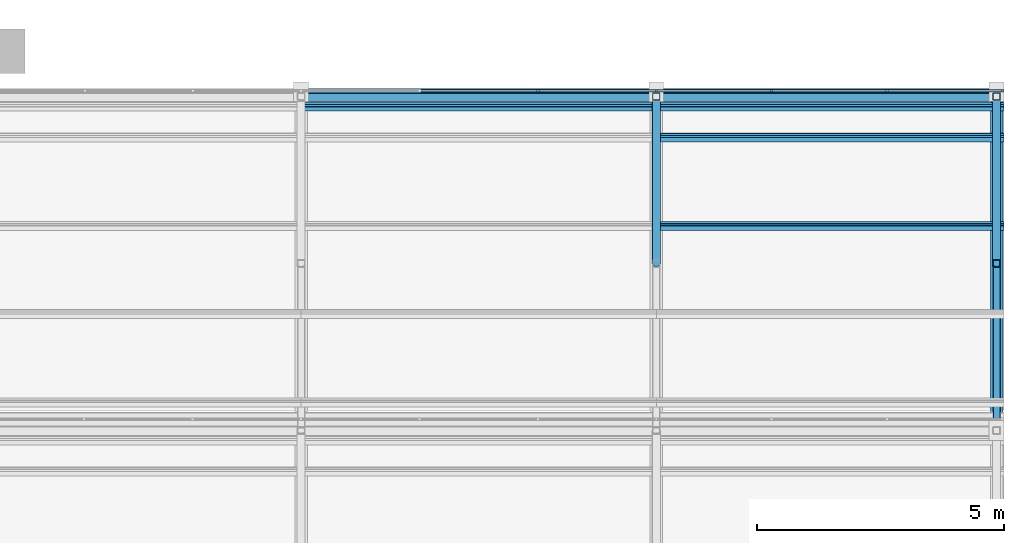
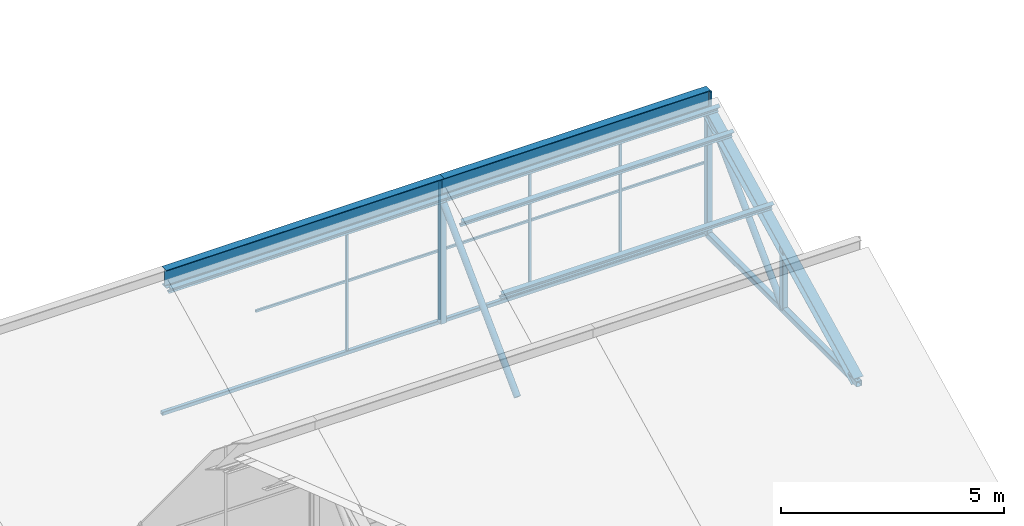
# One storey, part 15 of 29: 25 members, 2 elements without a shape of their own.
"""IFC4 building model written with IfcOpenShell, lengths in metres."""

from ifc_helpers import new_model, si_unit, direction, frame, origin, origin_2d, place, context, subcontext, project, spatial, rectangle, hollow_rectangle, hollow_circle, i_section, extrude, material, material_profile, profile_set, type_object, element, aggregate, save


model = new_model("IFC4")

# Units and contexts
model_context = context("Model", 3, precision=1e-05, world=origin(), true_north=direction((0.0, 1.0)))
body_context = subcontext(model_context, "Body", "Model", "MODEL_VIEW")
ifc_project = project(units=[si_unit("LENGTHUNIT", "METRE"), si_unit("AREAUNIT", "SQUARE_METRE"), si_unit("VOLUMEUNIT", "CUBIC_METRE"), si_unit("PLANEANGLEUNIT", "RADIAN"), si_unit("MASSUNIT", "GRAM", prefix="KILO")], contexts=[model_context])

# Site, building, storey
site_placement = place(None, origin())
site = spatial("IfcSite", under=ifc_project, at=site_placement, CompositionType="ELEMENT")
building_placement = place(site_placement, origin())
building = spatial("IfcBuilding", under=site, at=building_placement, Name="Silangan Lancet Faculty of Sciences", CompositionType="ELEMENT")
storey_placement = place(building_placement, frame((0.0, 0.0, 40.800048828125)))
storey = spatial("IfcBuildingStorey", under=building, at=storey_placement, Name="L08", CompositionType="ELEMENT", Elevation=40.800048828125)

# Members
ifc_material_1 = material(Name="Steel SS400", Category="steel")
ifc_material_profile_1 = material_profile(ifc_material_1, i_section(OverallWidth=0.199951171875, OverallDepth=0.5, WebThickness=0.010009765625, FlangeThickness=0.01611328125, FilletRadius=0.02001953125, at=origin_2d()), Name="H 500x200x10x16")
ifc_profile_set_1 = profile_set([ifc_material_profile_1], Name="Steel SS400")
member_type_1 = type_object("IfcMemberType", Name="Exposed ridge beam H 500x200x10x16", PredefinedType="MEMBER", material=ifc_profile_set_1)
member_1_placement = place(storey_placement, frame((36.0, 35.5400390625, 3.836669921875), z_axis=(1.0, 0.0, 0.0), x_axis=(0.0, 1.0, 0.0)))
element("IfcMember", 1, at=member_1_placement, inside=storey, type_object=member_type_1, Name="Exposed ridge beam ATRIUM-2-6", PredefinedType="MEMBER", context=body_context, shape_type="SweptSolid", body=[
    extrude(i_section(OverallWidth=0.199951171875, OverallDepth=0.5, WebThickness=0.010009765625, FlangeThickness=0.01611328125, FilletRadius=0.02001953125, at=origin_2d()), origin(), (0.0, 0.0, 1.0), 7.199951171875),
])
member_2_placement = place(storey_placement, frame((43.199951171875, 35.5400390625, 3.836669921875), z_axis=(1.0, 0.0, 0.0), x_axis=(0.0, 1.0, 0.0)))
element("IfcMember", 2, at=member_2_placement, inside=storey, type_object=member_type_1, Name="Exposed ridge beam ATRIUM-2-7", PredefinedType="MEMBER", context=body_context, shape_type="SweptSolid", body=[
    extrude(i_section(OverallWidth=0.199951171875, OverallDepth=0.5, WebThickness=0.010009765625, FlangeThickness=0.01611328125, FilletRadius=0.02001953125, at=origin_2d()), origin(), (0.0, 0.0, 1.0), 6.900146484375),
])
ifc_material_2 = material(Name="Steel STKR400", Category="steel")
ifc_material_profile_2 = material_profile(ifc_material_2, hollow_rectangle(XDim=0.10009765625, YDim=0.10009765625, WallThickness=0.006103515625, InnerFilletRadius=0.006103515625, OuterFilletRadius=0.011962890625, at=origin_2d()), Name="SHS 100x100x6.0")
ifc_profile_set_2 = profile_set([ifc_material_profile_2], Name="Steel STKR400")
member_type_2 = type_object("IfcMemberType", Name="Light sill SHS 100x100x6.0", PredefinedType="MEMBER", material=ifc_profile_set_2)
member_3_placement = place(storey_placement, frame((36.0, 35.655029296875, 0.050048828125), z_axis=(1.0, 0.0, 0.0), x_axis=(0.0, 1.0, 0.0)))
element("IfcMember", 3, at=member_3_placement, inside=storey, type_object=member_type_2, Name="North light sill ATRIUM-2-6", PredefinedType="MEMBER", context=body_context, shape_type="SweptSolid", body=[
    extrude(hollow_rectangle(XDim=0.10009765625, YDim=0.10009765625, WallThickness=0.006103515625, InnerFilletRadius=0.006103515625, OuterFilletRadius=0.011962890625, at=origin_2d()), origin(), (0.0, 0.0, 1.0), 7.199951171875),
])
member_4_placement = place(storey_placement, frame((43.199951171875, 35.655029296875, 0.050048828125), z_axis=(1.0, 0.0, 0.0), x_axis=(0.0, 1.0, 0.0)))
element("IfcMember", 4, at=member_4_placement, inside=storey, type_object=member_type_2, Name="North light sill ATRIUM-2-7", PredefinedType="MEMBER", context=body_context, shape_type="SweptSolid", body=[
    extrude(hollow_rectangle(XDim=0.10009765625, YDim=0.10009765625, WallThickness=0.006103515625, InnerFilletRadius=0.006103515625, OuterFilletRadius=0.011962890625, at=origin_2d()), origin(), (0.0, 0.0, 1.0), 7.050048828125),
])

# Curtain wall, member
ifc_material_3 = material(Name="Aluminium and laminated glass", Category="aluminium")
curtain_wall_type = type_object("IfcCurtainWallType", Name="North light glazing system", PredefinedType="NOTDEFINED", material=ifc_material_3)
curtain_wall_1_placement = place(storey_placement, origin())
curtain_wall_1 = element("IfcCurtainWall", 5, at=curtain_wall_1_placement, inside=storey, type_object=curtain_wall_type, Name="North light glazing ATRIUM-2-6", PredefinedType="NOTDEFINED")
ifc_material_4 = material(Name="Aluminium 6063-T6", Category="aluminium")
ifc_material_profile_3 = material_profile(ifc_material_4, rectangle(XDim=0.06005859375, YDim=0.050048828125, at=origin_2d()), Name="AL 60x50")
ifc_profile_set_3 = profile_set([ifc_material_profile_3], Name="Aluminium 6063-T6")
member_type_3 = type_object("IfcMemberType", Name="North light mullion 60x50", PredefinedType="MULLION", material=ifc_profile_set_3)
member_5_placement = place(storey_placement, frame((40.800048828125, 35.655029296875, 0.099853515625), z_axis=(0.0, 0.0, 1.0), x_axis=(1.0, 0.0, 0.0)))
member_5 = element("IfcMember", 6, at=member_5_placement, type_object=member_type_3, Name="North light mullion ATRIUM-2-6 3", PredefinedType="MULLION", context=body_context, shape_type="SweptSolid", body=[
    extrude(rectangle(XDim=0.06005859375, YDim=0.050048828125, at=origin_2d()), origin(), (0.0, 0.0, 1.0), 3.7880859375),
])

# Curtain wall, members
curtain_wall_2_placement = place(storey_placement, origin())
curtain_wall_2 = element("IfcCurtainWall", 7, at=curtain_wall_2_placement, inside=storey, type_object=curtain_wall_type, Name="North light glazing ATRIUM-2-7", PredefinedType="NOTDEFINED")
member_6_placement = place(storey_placement, frame((43.199951171875, 35.655029296875, 0.099853515625), z_axis=(0.0, 0.0, 1.0), x_axis=(1.0, 0.0, 0.0)))
member_6 = element("IfcMember", 8, at=member_6_placement, type_object=member_type_3, Name="North light mullion ATRIUM-2-7 1", PredefinedType="MULLION", context=body_context, shape_type="SweptSolid", body=[
    extrude(rectangle(XDim=0.06005859375, YDim=0.050048828125, at=origin_2d()), origin(), (0.0, 0.0, 1.0), 3.7880859375),
])
member_7_placement = place(storey_placement, frame((45.5400390625, 35.655029296875, 0.099853515625), z_axis=(0.0, 0.0, 1.0), x_axis=(1.0, 0.0, 0.0)))
member_7 = element("IfcMember", 9, at=member_7_placement, type_object=member_type_3, Name="North light mullion ATRIUM-2-7 2", PredefinedType="MULLION", context=body_context, shape_type="SweptSolid", body=[
    extrude(rectangle(XDim=0.06005859375, YDim=0.050048828125, at=origin_2d()), origin(), (0.0, 0.0, 1.0), 3.7880859375),
])
member_8_placement = place(storey_placement, frame((47.8798828125, 35.655029296875, 0.099853515625), z_axis=(0.0, 0.0, 1.0), x_axis=(1.0, 0.0, 0.0)))
member_8 = element("IfcMember", 10, at=member_8_placement, type_object=member_type_3, Name="North light mullion ATRIUM-2-7 3", PredefinedType="MULLION", context=body_context, shape_type="SweptSolid", body=[
    extrude(rectangle(XDim=0.06005859375, YDim=0.050048828125, at=origin_2d()), origin(), (0.0, 0.0, 1.0), 3.7880859375),
])
member_9_placement = place(storey_placement, frame((50.219970703125, 35.655029296875, 0.099853515625), z_axis=(0.0, 0.0, 1.0), x_axis=(1.0, 0.0, 0.0)))
member_9 = element("IfcMember", 11, at=member_9_placement, type_object=member_type_3, Name="North light mullion ATRIUM-2-7 4", PredefinedType="MULLION", context=body_context, shape_type="SweptSolid", body=[
    extrude(rectangle(XDim=0.06005859375, YDim=0.050048828125, at=origin_2d()), origin(), (0.0, 0.0, 1.0), 3.7880859375),
])

# Member
ifc_material_5 = material(Name="Aluminium 6063-T6", Category="aluminium")
ifc_material_profile_4 = material_profile(ifc_material_5, rectangle(XDim=0.050048828125, YDim=0.06005859375, at=origin_2d()), Name="AL 50x60")
ifc_profile_set_4 = profile_set([ifc_material_profile_4], Name="Aluminium 6063-T6")
member_type_4 = type_object("IfcMemberType", Name="North light transom 50x60", PredefinedType="USERDEFINED", material=ifc_profile_set_4)
member_10_placement = place(storey_placement, frame((38.429931640625, 35.655029296875, 1.993896484375), z_axis=(1.0, 0.0, 0.0), x_axis=(0.0, 1.0, 0.0)))
member_10 = element("IfcMember", 12, at=member_10_placement, type_object=member_type_4, Name="North light transom ATRIUM-2-6 2", ObjectType="TRANSOM", PredefinedType="USERDEFINED", context=body_context, shape_type="SweptSolid", body=[
    extrude(rectangle(XDim=0.050048828125, YDim=0.06005859375, at=origin_2d()), origin(), (0.0, 0.0, 1.0), 2.340087890625),
])

member_11_placement = place(storey_placement, frame((40.830078125, 35.655029296875, 1.993896484375), z_axis=(1.0, 0.0, 0.0), x_axis=(0.0, 1.0, 0.0)))
member_11 = element("IfcMember", 13, at=member_11_placement, type_object=member_type_4, Name="North light transom ATRIUM-2-6 3", ObjectType="TRANSOM", PredefinedType="USERDEFINED", context=body_context, shape_type="SweptSolid", body=[
    extrude(rectangle(XDim=0.050048828125, YDim=0.06005859375, at=origin_2d()), origin(), (0.0, 0.0, 1.0), 2.33984375),
])

aggregate(curtain_wall_1, [member_5, member_10, member_11])

member_12_placement = place(storey_placement, frame((43.22998046875, 35.655029296875, 1.993896484375), z_axis=(1.0, 0.0, 0.0), x_axis=(0.0, 1.0, 0.0)))
member_12 = element("IfcMember", 14, at=member_12_placement, type_object=member_type_4, Name="North light transom ATRIUM-2-7 1", ObjectType="TRANSOM", PredefinedType="USERDEFINED", context=body_context, shape_type="SweptSolid", body=[
    extrude(rectangle(XDim=0.050048828125, YDim=0.06005859375, at=origin_2d()), origin(), (0.0, 0.0, 1.0), 2.280029296875),
])

member_13_placement = place(storey_placement, frame((45.570068359375, 35.655029296875, 1.993896484375), z_axis=(1.0, 0.0, 0.0), x_axis=(0.0, 1.0, 0.0)))
member_13 = element("IfcMember", 15, at=member_13_placement, type_object=member_type_4, Name="North light transom ATRIUM-2-7 2", ObjectType="TRANSOM", PredefinedType="USERDEFINED", context=body_context, shape_type="SweptSolid", body=[
    extrude(rectangle(XDim=0.050048828125, YDim=0.06005859375, at=origin_2d()), origin(), (0.0, 0.0, 1.0), 2.280029296875),
])

member_14_placement = place(storey_placement, frame((47.909912109375, 35.655029296875, 1.993896484375), z_axis=(1.0, 0.0, 0.0), x_axis=(0.0, 1.0, 0.0)))
member_14 = element("IfcMember", 16, at=member_14_placement, type_object=member_type_4, Name="North light transom ATRIUM-2-7 3", ObjectType="TRANSOM", PredefinedType="USERDEFINED", context=body_context, shape_type="SweptSolid", body=[
    extrude(rectangle(XDim=0.050048828125, YDim=0.06005859375, at=origin_2d()), origin(), (0.0, 0.0, 1.0), 2.340087890625),
])

aggregate(curtain_wall_2, [member_6, member_7, member_8, member_9, member_12, member_13, member_14])

# Members
ifc_material_6 = material(Name="Steel SS400", Category="steel")
ifc_material_profile_5 = material_profile(ifc_material_6, i_section(OverallWidth=0.10009765625, OverallDepth=0.199951171875, WebThickness=0.005615234375, FlangeThickness=0.008056640625, FilletRadius=0.008056640625, at=origin_2d()), Name="H 200x100x5.5x8")
ifc_profile_set_5 = profile_set([ifc_material_profile_5], Name="Steel SS400")
member_type_5 = type_object("IfcMemberType", Name="Sheeting purlin H 200x100x5.5x8", PredefinedType="PURLIN", material=ifc_profile_set_5)
member_15_placement = place(storey_placement, frame((36.0, 35.33203125, 3.62744140625), z_axis=(1.0, 0.0, 0.0), x_axis=(0.0, 0.894427192382, 0.447213592736)))
element("IfcMember", 17, at=member_15_placement, inside=storey, type_object=member_type_5, Name="Sheeting purlin ATRIUM-2-6 5", PredefinedType="PURLIN", context=body_context, shape_type="SweptSolid", body=[
    extrude(i_section(OverallWidth=0.10009765625, OverallDepth=0.199951171875, WebThickness=0.005615234375, FlangeThickness=0.008056640625, FilletRadius=0.008056640625, at=origin_2d()), origin(), (0.0, 0.0, 1.0), 7.199951171875),
])
for number, where, z_axis, x_axis, name in (
    (18, (43.199951171875, 32.91796875, 2.42041015625), (1.0, 0.0, 0.0), (0.0, 0.894427192382, 0.447213592736), "Sheeting purlin ATRIUM-2-7 3"),
    (19, (43.199951171875, 34.706787109375, 3.31494140625), (1.0, 0.0, 0.0), (0.0, 0.894427192382, 0.447213592736), "Sheeting purlin ATRIUM-2-7 4"),
    (20, (43.199951171875, 35.33203125, 3.62744140625), (1.0, 0.0, 0.0), (0.0, 0.894427192382, 0.447213592736), "Sheeting purlin ATRIUM-2-7 5"),
):
    element("IfcMember", number, at=place(storey_placement, frame(where, z_axis=z_axis, x_axis=x_axis)), inside=storey, type_object=member_type_5, Name=name, PredefinedType="PURLIN", context=body_context, shape_type="SweptSolid", body=[
        extrude(i_section(OverallWidth=0.10009765625, OverallDepth=0.199951171875, WebThickness=0.005615234375, FlangeThickness=0.008056640625, FilletRadius=0.008056640625, at=origin_2d()), origin(), (0.0, 0.0, 1.0), 7.050048828125),
    ])
ifc_material_7 = material(Name="Steel STKR400", Category="steel")
ifc_material_profile_6 = material_profile(ifc_material_7, hollow_rectangle(XDim=0.14990234375, YDim=0.14990234375, WallThickness=0.009033203125, InnerFilletRadius=0.009033203125, OuterFilletRadius=0.01806640625, at=origin_2d()), Name="SHS 150x150x9.0")
ifc_profile_set_6 = profile_set([ifc_material_profile_6], Name="Steel STKR400")
member_type_6 = type_object("IfcMemberType", Name="Truss bottom chord SHS 150x150x9.0", PredefinedType="CHORD", material=ifc_profile_set_6)
member_16_placement = place(storey_placement, frame((50.10009765625, 28.77001953125, 0.094970703125), z_axis=(0.0, 1.0, 0.0), x_axis=(-1.0, 0.0, 0.0)))
element("IfcMember", 21, at=member_16_placement, inside=storey, type_object=member_type_6, Name="Truss 8 bottom chord 2", PredefinedType="CHORD", context=body_context, shape_type="SweptSolid", body=[
    extrude(hollow_rectangle(XDim=0.14990234375, YDim=0.14990234375, WallThickness=0.009033203125, InnerFilletRadius=0.009033203125, OuterFilletRadius=0.01806640625, at=origin_2d()), origin(), (0.0, 0.0, 1.0), 6.77001953125),
])
ifc_material_8 = material(Name="Steel STK400", Category="steel")
ifc_material_profile_7 = material_profile(ifc_material_8, hollow_circle(Radius=0.08251953125, WallThickness=0.0048828125, at=origin_2d()), Name="CHS 165.2x5.0")
ifc_profile_set_7 = profile_set([ifc_material_profile_7], Name="Steel STK400")
member_type_7 = type_object("IfcMemberType", Name="Truss diagonal CHS 165.2x5.0", PredefinedType="BRACE", material=ifc_profile_set_7)
for number, where, z_axis, x_axis, name in (
    (22, (43.199951171875, 32.155029296875, 0.094970703125), (0.0, 0.707106781187, 0.707106781187), (-1.0, 0.0, 0.0), "Truss 7 diagonal 2"),
    (23, (50.10009765625, 32.155029296875, 0.094970703125), (0.0, 0.707106781187, 0.707106781187), (-1.0, 0.0, 0.0), "Truss 8 diagonal 2"),
):
    element("IfcMember", number, at=place(storey_placement, frame(where, z_axis=z_axis, x_axis=x_axis)), inside=storey, type_object=member_type_7, Name=name, PredefinedType="BRACE", context=body_context, shape_type="SweptSolid", body=[
        extrude(hollow_circle(Radius=0.08251953125, WallThickness=0.0048828125, at=origin_2d()), origin(), (0.0, 0.0, 1.0), 4.787109375),
    ])
ifc_material_9 = material(Name="Steel STKR400", Category="steel")
ifc_material_profile_8 = material_profile(ifc_material_9, hollow_rectangle(XDim=0.14990234375, YDim=0.14990234375, WallThickness=0.006103515625, InnerFilletRadius=0.006103515625, OuterFilletRadius=0.011962890625, at=origin_2d()), Name="SHS 150x150x6.0")
ifc_profile_set_8 = profile_set([ifc_material_profile_8], Name="Steel STKR400")
member_type_8 = type_object("IfcMemberType", Name="Truss post SHS 150x150x6.0", PredefinedType="POST", material=ifc_profile_set_8)
for number, where, z_axis, x_axis, name in (
    (24, (43.199951171875, 35.5400390625, 0.094970703125), (0.0, 0.0, 1.0), (1.0, 0.0, 0.0), "Truss 7 riser post 2"),
    (25, (50.10009765625, 35.5400390625, 0.094970703125), (0.0, 0.0, 1.0), (1.0, 0.0, 0.0), "Truss 8 riser post 2"),
):
    element("IfcMember", number, at=place(storey_placement, frame(where, z_axis=z_axis, x_axis=x_axis)), inside=storey, type_object=member_type_8, Name=name, PredefinedType="POST", context=body_context, shape_type="SweptSolid", body=[
        extrude(hollow_rectangle(XDim=0.14990234375, YDim=0.14990234375, WallThickness=0.006103515625, InnerFilletRadius=0.006103515625, OuterFilletRadius=0.011962890625, at=origin_2d()), origin(), (0.0, 0.0, 1.0), 3.385009765625),
    ])
member_17_placement = place(storey_placement, frame((50.10009765625, 32.155029296875, 0.094970703125), z_axis=(0.0, 0.0, 1.0), x_axis=(1.0, 0.0, 0.0)))
element("IfcMember", 26, at=member_17_placement, inside=storey, type_object=member_type_8, Name="Truss 8 mid post 2", PredefinedType="POST", context=body_context, shape_type="SweptSolid", body=[
    extrude(hollow_rectangle(XDim=0.14990234375, YDim=0.14990234375, WallThickness=0.006103515625, InnerFilletRadius=0.006103515625, OuterFilletRadius=0.011962890625, at=origin_2d()), origin(), (0.0, 0.0, 1.0), 1.6923828125),
])
ifc_material_10 = material(Name="Steel SS400", Category="steel")
ifc_material_profile_9 = material_profile(ifc_material_10, i_section(OverallWidth=0.25, OverallDepth=0.25, WebThickness=0.009033203125, FlangeThickness=0.013916015625, FilletRadius=0.01611328125, at=origin_2d()), Name="H 250x250x9x14")
ifc_profile_set_9 = profile_set([ifc_material_profile_9], Name="Steel SS400")
member_type_9 = type_object("IfcMemberType", Name="Truss top chord H 250x250x9x14", PredefinedType="CHORD", material=ifc_profile_set_9)
member_18_placement = place(storey_placement, frame((50.10009765625, 28.8505859375, 0.13525390625), z_axis=(0.0, 0.894427191, 0.4472135955), x_axis=(-1.0, 0.0, 0.0)))
element("IfcMember", 27, at=member_18_placement, inside=storey, type_object=member_type_9, Name="Truss 8 top chord 2", PredefinedType="CHORD", context=body_context, shape_type="SweptSolid", body=[
    extrude(i_section(OverallWidth=0.25, OverallDepth=0.25, WebThickness=0.009033203125, FlangeThickness=0.013916015625, FilletRadius=0.01611328125, at=origin_2d()), origin(), (0.0, 0.0, 1.0), 7.47900390625),
])

save(model, "model.ifc")
